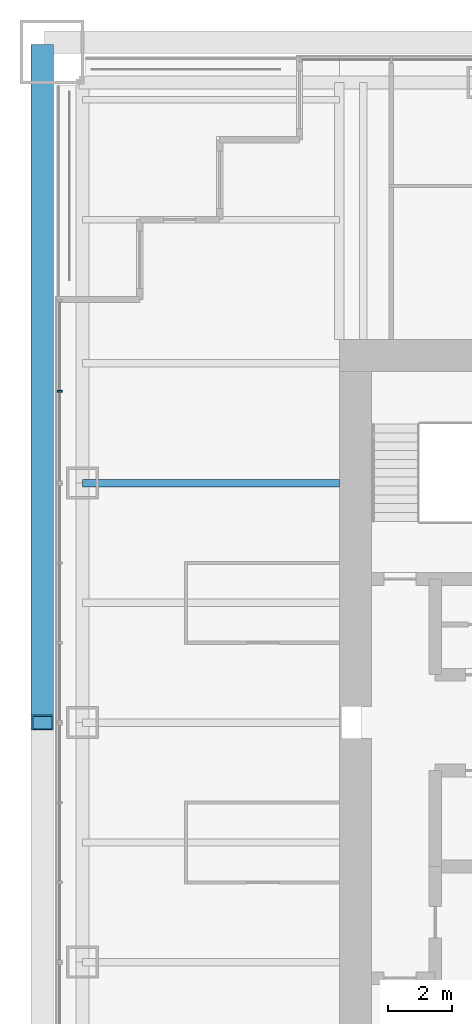
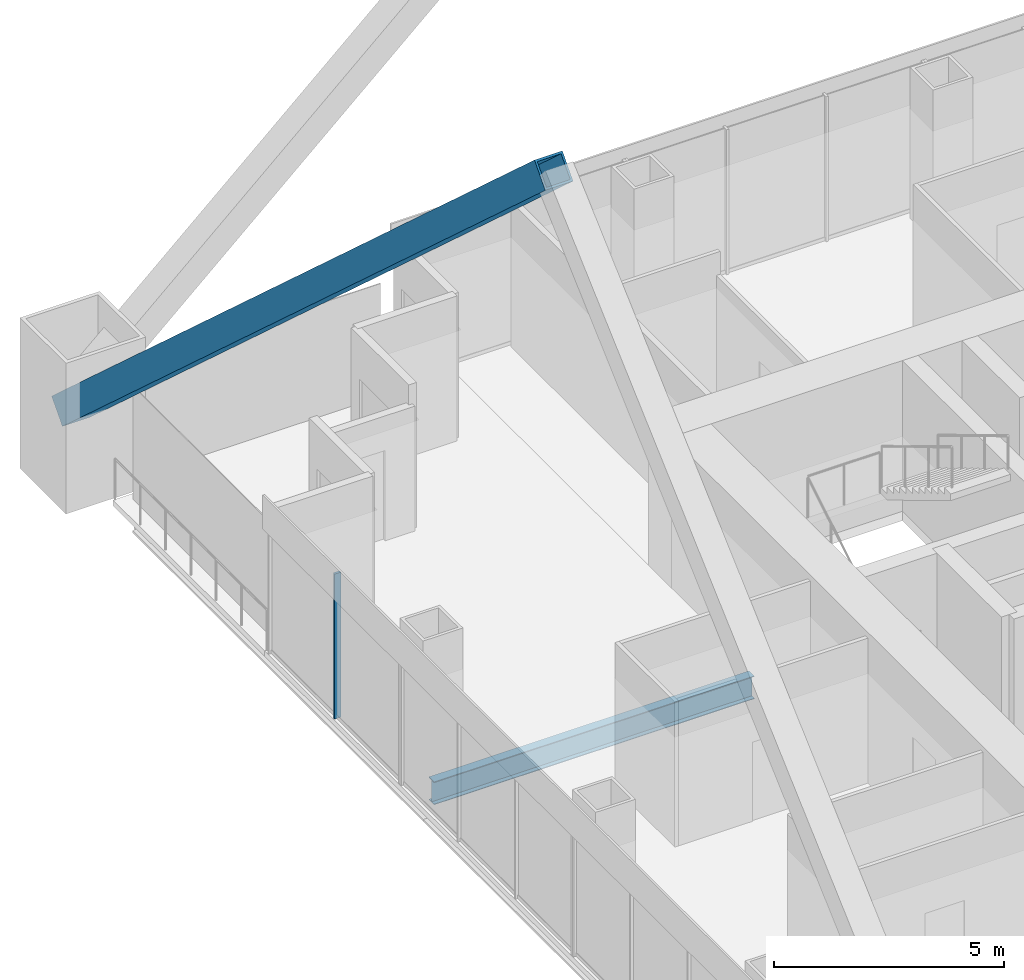
# One storey, part 6 of 18: 2 members, 1 beam, 1 element without a shape of its own.
"""IFC4 building model written with IfcOpenShell, lengths in metres."""

from ifc_helpers import new_model, si_unit, direction, frame, origin, origin_2d, place, context, subcontext, project, spatial, rectangle, hollow_rectangle, i_section, extrude, material, material_profile, profile_set, type_object, element, aggregate, save


model = new_model("IFC4")

# Units and contexts
model_context = context("Model", 3, precision=1e-05, world=origin(), true_north=direction((0.0, 1.0)))
body_context = subcontext(model_context, "Body", "Model", "MODEL_VIEW")
ifc_project = project(units=[si_unit("LENGTHUNIT", "METRE"), si_unit("AREAUNIT", "SQUARE_METRE"), si_unit("VOLUMEUNIT", "CUBIC_METRE"), si_unit("PLANEANGLEUNIT", "RADIAN"), si_unit("MASSUNIT", "GRAM", prefix="KILO")], contexts=[model_context])

# Site, building, storey
site_placement = place(None, origin())
site = spatial("IfcSite", under=ifc_project, at=site_placement, CompositionType="ELEMENT")
building_placement = place(site_placement, origin())
building = spatial("IfcBuilding", under=site, at=building_placement, Name="Tarangal Relay Tower", CompositionType="ELEMENT")
storey_placement = place(building_placement, frame((0.0, 0.0, 295.89990234375)))
storey = spatial("IfcBuildingStorey", under=building, at=storey_placement, Name="L65", CompositionType="ELEMENT", Elevation=295.89990234375)

# Beam
ifc_material_1 = material(Name="Steel ASTM A992", Category="steel")
ifc_material_profile_1 = material_profile(ifc_material_1, i_section(OverallWidth=0.228271484375, OverallDepth=0.607177734375, WebThickness=0.01123046875, FlangeThickness=0.017333984375, at=origin_2d()), Name="W24X76")
ifc_profile_set_1 = profile_set([ifc_material_profile_1], Name="Steel ASTM A992")
beam_type = type_object("IfcBeamType", Name="Floor beam W24X76", PredefinedType="BEAM", material=ifc_profile_set_1)
beam_placement = place(storey_placement, frame((-12.0, 7.5, -0.453369140625), z_axis=(-1.0, 0.0, 0.0), x_axis=(0.0, -1.0, 0.0)))
element("IfcBeam", 1, at=beam_placement, inside=storey, type_object=beam_type, Name="Floor beam RB5 W L65", PredefinedType="BEAM", context=body_context, shape_type="SweptSolid", body=[
    extrude(i_section(OverallWidth=0.228271484375, OverallDepth=0.607177734375, WebThickness=0.01123046875, FlangeThickness=0.017333984375, at=origin_2d()), origin(), (0.0, 0.0, 1.0), 8.0400390625),
])

# Member
ifc_material_2 = material(Name="Steel ASTM A572 Grade 50", Category="steel")
ifc_material_profile_2 = material_profile(ifc_material_2, hollow_rectangle(XDim=0.699951171875, YDim=0.699951171875, WallThickness=0.052001953125, at=origin_2d()), Name="BOX700X700X52")
ifc_profile_set_2 = profile_set([ifc_material_profile_2], Name="Steel ASTM A572 Grade 50")
member_type_1 = type_object("IfcMemberType", Name="Mega brace BOX700X700X52", PredefinedType="BRACE", material=ifc_profile_set_2)
member_1_placement = place(storey_placement, frame((-21.300048828125, 21.0, 2.0), z_axis=(0.0, -0.741535779124, 0.670913323969), x_axis=(1.0, 0.0, 0.0)))
element("IfcMember", 2, at=member_1_placement, inside=storey, type_object=member_type_1, Name="Mega brace MB4 W face module 2", PredefinedType="BRACE", context=body_context, shape_type="SweptSolid", body=[
    extrude(hollow_rectangle(XDim=0.699951171875, YDim=0.699951171875, WallThickness=0.052001953125, at=origin_2d()), origin(), (0.0, 0.0, 1.0), 28.319580078125),
])

# Curtain wall, member
ifc_material_3 = material(Name="Unitised curtain wall, dark glass and black aluminium", Category="aluminium")
curtain_wall_type = type_object("IfcCurtainWallType", Name="Curtain wall CW-B", PredefinedType="USERDEFINED", material=ifc_material_3)
curtain_wall_placement = place(storey_placement, origin())
curtain_wall = element("IfcCurtainWall", 3, at=curtain_wall_placement, inside=storey, type_object=curtain_wall_type, Name="Curtain wall CW-B W facade L65", ObjectType="UNITISED CURTAIN WALL", PredefinedType="USERDEFINED")
ifc_material_4 = material(Name="Black anodised aluminium mullion", Category="aluminium")
ifc_material_profile_3 = material_profile(ifc_material_4, rectangle(XDim=0.159912109375, YDim=0.06005859375, at=origin_2d()), Name="CW-BM 60X160")
ifc_profile_set_3 = profile_set([ifc_material_profile_3], Name="Black anodised aluminium mullion")
member_type_2 = type_object("IfcMemberType", Name="Mullion CW-B 60 x 160", PredefinedType="MULLION", material=ifc_profile_set_3)
member_2_placement = place(storey_placement, frame((-20.75, 10.375, 0.0), z_axis=(0.0, 0.0, 1.0), x_axis=(-1.0, 0.0, 0.0)))
member_2 = element("IfcMember", 4, at=member_2_placement, type_object=member_type_2, Name="CW-B mullion 2", PredefinedType="MULLION", context=body_context, shape_type="SweptSolid", body=[
    extrude(rectangle(XDim=0.159912109375, YDim=0.06005859375, at=origin_2d()), origin(), (0.0, 0.0, 1.0), 3.85009765625),
])
aggregate(curtain_wall, [member_2])

save(model, "model.ifc")
